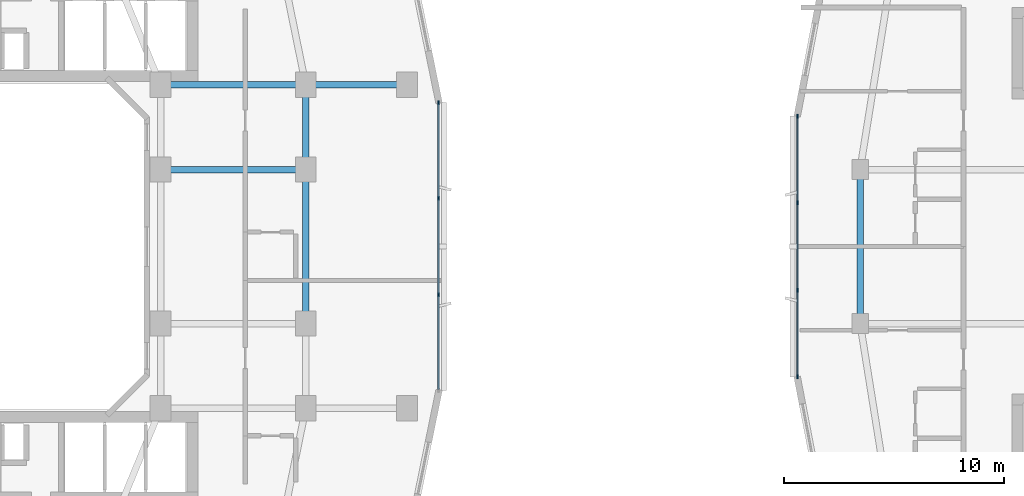
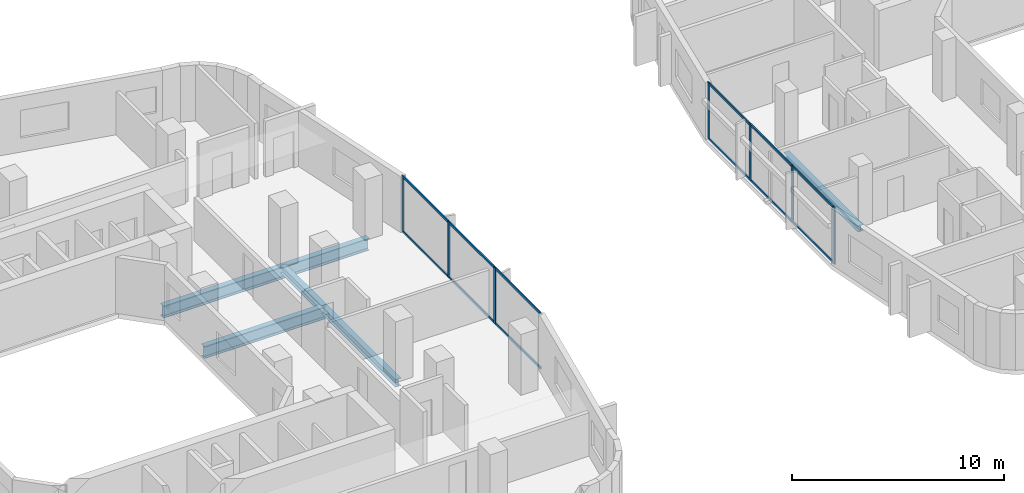
# One storey, part 5 of 26: 19 members, 6 beams, 2 elements without a shape of their own.
"""IFC4 building model written with IfcOpenShell, lengths in metres."""

from ifc_helpers import new_model, si_unit, derived_unit, direction, frame, origin, origin_2d, place, context, subcontext, project, spatial, rectangle, i_section, extrude, material, layer, layer_set, material_profile, profile_set, type_object, element, aggregate, save


model = new_model("IFC4")

# Units and contexts
model_context = context("Model", 3, precision=1e-05, world=origin(), true_north=direction((0.0, 1.0)))
body_context = subcontext(model_context, "Body", "Model", "MODEL_VIEW")
ifc_project = project(units=[si_unit("LENGTHUNIT", "METRE"), si_unit("AREAUNIT", "SQUARE_METRE"), si_unit("VOLUMEUNIT", "CUBIC_METRE"), si_unit("PLANEANGLEUNIT", "RADIAN"), si_unit("MASSUNIT", "GRAM", prefix="KILO"), derived_unit("THERMALTRANSMITTANCEUNIT", [(si_unit("POWERUNIT", "WATT"), 1), (si_unit("LENGTHUNIT", "METRE"), -2), (si_unit("THERMODYNAMICTEMPERATUREUNIT", "KELVIN"), -1)])], contexts=[model_context])

# Site, building, storey
site_placement = place(None, origin())
site = spatial("IfcSite", under=ifc_project, at=site_placement, CompositionType="ELEMENT")
building_placement = place(site_placement, origin())
building = spatial("IfcBuilding", under=site, at=building_placement, Name="Kivonza Crest Hotel", CompositionType="ELEMENT")
storey_placement = place(building_placement, frame((0.0, 0.0, 62.5)))
storey = spatial("IfcBuildingStorey", under=building, at=storey_placement, Name="L16", CompositionType="ELEMENT", Elevation=62.5)

# Beams
ifc_material_1 = material(Name="Steel S355", Category="steel")
ifc_material_profile_1 = material_profile(ifc_material_1, i_section(OverallWidth=0.300048828125, OverallDepth=0.360107421875, WebThickness=0.012451171875, FlangeThickness=0.0224609375, FilletRadius=0.027099609375, at=origin_2d()), Name="HEB 360")
ifc_profile_set_1 = profile_set([ifc_material_profile_1], Name="Steel S355")
beam_type_1 = type_object("IfcBeamType", Name="BM-HEB360", PredefinedType="SPANDREL", material=ifc_profile_set_1)
beam_1_placement = place(storey_placement, frame((61.0, 28.5, -0.429931640625), z_axis=(0.0, -1.0, 0.0), x_axis=(1.0, 0.0, 0.0)))
element("IfcBeam", 1, at=beam_1_placement, inside=storey, type_object=beam_type_1, Name="Companion Tower T2 L16 perimeter spandrel W2-W1", PredefinedType="SPANDREL", context=body_context, shape_type="SweptSolid", body=[
    extrude(i_section(OverallWidth=0.300048828125, OverallDepth=0.360107421875, WebThickness=0.012451171875, FlangeThickness=0.0224609375, FilletRadius=0.027099609375, at=origin_2d()), origin(), (0.0, 0.0, 1.0), 7.0),
])
ifc_material_profile_2 = material_profile(ifc_material_1, i_section(OverallWidth=0.300048828125, OverallDepth=0.449951171875, WebThickness=0.013916015625, FlangeThickness=0.02587890625, FilletRadius=0.027099609375, at=origin_2d()), Name="HEB 450")
ifc_profile_set_2 = profile_set([ifc_material_profile_2], Name="Steel S355")
beam_type_2 = type_object("IfcBeamType", Name="BM-HEB450", PredefinedType="SPANDREL", material=ifc_profile_set_2)
beam_2_placement = place(storey_placement, frame((35.800048828125, 21.5, -0.5048828125), z_axis=(0.0, 1.0, 0.0), x_axis=(-1.0, 0.0, 0.0)))
element("IfcBeam", 2, at=beam_2_placement, inside=storey, type_object=beam_type_2, Name="Tower T1 L16 perimeter spandrel E1-E2", PredefinedType="SPANDREL", context=body_context, shape_type="SweptSolid", body=[
    extrude(i_section(OverallWidth=0.300048828125, OverallDepth=0.449951171875, WebThickness=0.013916015625, FlangeThickness=0.02587890625, FilletRadius=0.027099609375, at=origin_2d()), origin(), (0.0, 0.0, 1.0), 7.0),
])
beam_3_placement = place(storey_placement, frame((35.800048828125, 28.5, -0.5048828125), z_axis=(0.0, 1.0, 0.0), x_axis=(-1.0, 0.0, 0.0)))
element("IfcBeam", 3, at=beam_3_placement, inside=storey, type_object=beam_type_2, Name="Tower T1 L16 perimeter spandrel E2-PNE", PredefinedType="SPANDREL", context=body_context, shape_type="SweptSolid", body=[
    extrude(i_section(OverallWidth=0.300048828125, OverallDepth=0.449951171875, WebThickness=0.013916015625, FlangeThickness=0.02587890625, FilletRadius=0.027099609375, at=origin_2d()), origin(), (0.0, 0.0, 1.0), 3.85009765625),
])
ifc_material_profile_3 = material_profile(ifc_material_1, i_section(OverallWidth=0.300048828125, OverallDepth=0.699951171875, WebThickness=0.01708984375, FlangeThickness=0.031982421875, FilletRadius=0.027099609375, at=origin_2d()), Name="HEB 700")
ifc_profile_set_3 = profile_set([ifc_material_profile_3], Name="Steel S355")
beam_type_3 = type_object("IfcBeamType", Name="BM-HEB700", PredefinedType="BEAM", material=ifc_profile_set_3)
for number, where, z_axis, x_axis, name in (
    (4, (29.199951171875, 32.35009765625, -0.6298828125), (1.0, 0.0, 0.0), (0.0, 1.0, 0.0), "Tower T1 L16 primary girder TNE-PNE"),
    (5, (29.199951171875, 28.5, -0.6298828125), (1.0, 0.0, 0.0), (0.0, 1.0, 0.0), "Tower T1 L16 primary girder WR2-E2"),
):
    element("IfcBeam", number, at=place(storey_placement, frame(where, z_axis=z_axis, x_axis=x_axis)), inside=storey, type_object=beam_type_3, Name=name, PredefinedType="BEAM", context=body_context, shape_type="SweptSolid", body=[
        extrude(i_section(OverallWidth=0.300048828125, OverallDepth=0.699951171875, WebThickness=0.01708984375, FlangeThickness=0.031982421875, FilletRadius=0.027099609375, at=origin_2d()), origin(), (0.0, 0.0, 1.0), 6.60009765625),
    ])
beam_4_placement = place(storey_placement, frame((40.39990234375, 32.35009765625, -0.6298828125), z_axis=(-1.0, 0.0, 0.0), x_axis=(0.0, -1.0, 0.0)))
element("IfcBeam", 6, at=beam_4_placement, inside=storey, type_object=beam_type_3, Name="Tower T1 L16 outer bay girder ZE2", PredefinedType="BEAM", context=body_context, shape_type="SweptSolid", body=[
    extrude(i_section(OverallWidth=0.300048828125, OverallDepth=0.699951171875, WebThickness=0.01708984375, FlangeThickness=0.031982421875, FilletRadius=0.027099609375, at=origin_2d()), origin(), (0.0, 0.0, 1.0), 4.599853515625),
])

# Curtain wall, members
ifc_material_2 = material(Name="Anodised bronze aluminium and low-E double glazing", Category="aluminium")
ifc_layer_1 = layer(ifc_material_2, 0.179931640625)
ifc_layer_set_1 = layer_set([ifc_layer_1], Name="Anodised bronze aluminium and low-E double glazing")
curtain_wall_type_1 = type_object("IfcCurtainWallType", Name="CW-SYS-2", PredefinedType="NOTDEFINED", material=ifc_layer_set_1)
curtain_wall_1_placement = place(storey_placement, origin())
curtain_wall_1 = element("IfcCurtainWall", 7, at=curtain_wall_1_placement, inside=storey, type_object=curtain_wall_type_1, Name="L16 unitised curtain wall CW-T1-L16-17", PredefinedType="NOTDEFINED")
ifc_material_3 = material(Name="Anodised bronze aluminium", Category="aluminium")
ifc_material_profile_4 = material_profile(ifc_material_3, rectangle(XDim=0.06494140625, YDim=0.179931640625, at=origin_2d()), Name="CW-M 65x180")
ifc_profile_set_4 = profile_set([ifc_material_profile_4], Name="Anodised bronze aluminium")
member_type_1 = type_object("IfcMemberType", Name="CW-MUL-65x180", PredefinedType="MULLION", material=ifc_profile_set_4)
member_1_placement = place(storey_placement, frame((41.840087890625, 22.813232421875, 0.0), z_axis=(0.0, 0.0, 1.0), x_axis=(-1.0, 0.0, 0.0)))
member_1 = element("IfcMember", 8, at=member_1_placement, type_object=member_type_1, Name="CW-2 mullion 2", PredefinedType="MULLION", context=body_context, shape_type="SweptSolid", body=[
    extrude(rectangle(XDim=0.06494140625, YDim=0.179931640625, at=origin_2d()), origin(), (0.0, 0.0, 1.0), 3.219970703125),
])
member_2_placement = place(storey_placement, frame((41.840087890625, 27.186767578125, 0.0), z_axis=(0.0, 0.0, 1.0), x_axis=(-1.0, 0.0, 0.0)))
member_2 = element("IfcMember", 9, at=member_2_placement, type_object=member_type_1, Name="CW-2 mullion 3", PredefinedType="MULLION", context=body_context, shape_type="SweptSolid", body=[
    extrude(rectangle(XDim=0.06494140625, YDim=0.179931640625, at=origin_2d()), origin(), (0.0, 0.0, 1.0), 3.219970703125),
])
member_3_placement = place(storey_placement, frame((41.840087890625, 31.527587890625, 0.0), z_axis=(0.0, 0.0, 1.0), x_axis=(-1.0, 0.0, 0.0)))
member_3 = element("IfcMember", 10, at=member_3_placement, type_object=member_type_1, Name="CW-2 mullion 4", PredefinedType="MULLION", context=body_context, shape_type="SweptSolid", body=[
    extrude(rectangle(XDim=0.06494140625, YDim=0.179931640625, at=origin_2d()), origin(), (0.0, 0.0, 1.0), 3.219970703125),
])

ifc_layer_2 = layer(ifc_material_2, 0.179931640625)
ifc_layer_set_2 = layer_set([ifc_layer_2], Name="Anodised bronze aluminium and low-E double glazing")
curtain_wall_type_2 = type_object("IfcCurtainWallType", Name="CW-SYS-4", PredefinedType="NOTDEFINED", material=ifc_layer_set_2)
curtain_wall_2_placement = place(storey_placement, origin())
curtain_wall_2 = element("IfcCurtainWall", 11, at=curtain_wall_2_placement, inside=storey, type_object=curtain_wall_type_2, Name="L16 unitised curtain wall CW-T2-L16-35", PredefinedType="NOTDEFINED")
member_4_placement = place(storey_placement, frame((58.159912109375, 30.927490234375, 0.0), z_axis=(0.0, 0.0, 1.0), x_axis=(1.0, 0.0, 0.0)))
member_4 = element("IfcMember", 12, at=member_4_placement, type_object=member_type_1, Name="CW-4 mullion 1", PredefinedType="MULLION", context=body_context, shape_type="SweptSolid", body=[
    extrude(rectangle(XDim=0.06494140625, YDim=0.179931640625, at=origin_2d()), origin(), (0.0, 0.0, 1.0), 3.25),
])
member_5_placement = place(storey_placement, frame((58.159912109375, 26.986572265625, 0.0), z_axis=(0.0, 0.0, 1.0), x_axis=(1.0, 0.0, 0.0)))
member_5 = element("IfcMember", 13, at=member_5_placement, type_object=member_type_1, Name="CW-4 mullion 2", PredefinedType="MULLION", context=body_context, shape_type="SweptSolid", body=[
    extrude(rectangle(XDim=0.06494140625, YDim=0.179931640625, at=origin_2d()), origin(), (0.0, 0.0, 1.0), 3.25),
])
member_6_placement = place(storey_placement, frame((58.159912109375, 23.013427734375, 0.0), z_axis=(0.0, 0.0, 1.0), x_axis=(1.0, 0.0, 0.0)))
member_6 = element("IfcMember", 14, at=member_6_placement, type_object=member_type_1, Name="CW-4 mullion 3", PredefinedType="MULLION", context=body_context, shape_type="SweptSolid", body=[
    extrude(rectangle(XDim=0.06494140625, YDim=0.179931640625, at=origin_2d()), origin(), (0.0, 0.0, 1.0), 3.25),
])
member_7_placement = place(storey_placement, frame((58.159912109375, 19.072509765625, 0.0), z_axis=(0.0, 0.0, 1.0), x_axis=(1.0, 0.0, 0.0)))
member_7 = element("IfcMember", 15, at=member_7_placement, type_object=member_type_1, Name="CW-4 mullion 4", PredefinedType="MULLION", context=body_context, shape_type="SweptSolid", body=[
    extrude(rectangle(XDim=0.06494140625, YDim=0.179931640625, at=origin_2d()), origin(), (0.0, 0.0, 1.0), 3.25),
])

# Member
ifc_material_profile_5 = material_profile(ifc_material_3, rectangle(XDim=0.06494140625, YDim=0.139892578125, at=origin_2d()), Name="CW-T 65x140")
ifc_profile_set_5 = profile_set([ifc_material_profile_5], Name="Anodised bronze aluminium")
member_type_2 = type_object("IfcMemberType", Name="CW-TRN-65x140", PredefinedType="USERDEFINED", material=ifc_profile_set_5)
member_8_placement = place(storey_placement, frame((41.840087890625, 18.5048828125, 0.032470703125), z_axis=(0.0, 1.0, 0.0), x_axis=(-1.0, 0.0, 0.0)))
member_8 = element("IfcMember", 16, at=member_8_placement, type_object=member_type_2, Name="CW-2 transom 1.1", ObjectType="TRANSOM", PredefinedType="USERDEFINED", context=body_context, shape_type="SweptSolid", body=[
    extrude(rectangle(XDim=0.06494140625, YDim=0.139892578125, at=origin_2d()), origin(), (0.0, 0.0, 1.0), 4.27587890625),
])

member_9_placement = place(storey_placement, frame((41.840087890625, 18.5048828125, 3.1875), z_axis=(0.0, 1.0, 0.0), x_axis=(-1.0, 0.0, 0.0)))
member_9 = element("IfcMember", 17, at=member_9_placement, type_object=member_type_2, Name="CW-2 transom 1.2", ObjectType="TRANSOM", PredefinedType="USERDEFINED", context=body_context, shape_type="SweptSolid", body=[
    extrude(rectangle(XDim=0.06494140625, YDim=0.139892578125, at=origin_2d()), origin(), (0.0, 0.0, 1.0), 4.27587890625),
])

member_10_placement = place(storey_placement, frame((41.840087890625, 22.845947265625, 0.032470703125), z_axis=(0.0, 1.0, 0.0), x_axis=(-1.0, 0.0, 0.0)))
member_10 = element("IfcMember", 18, at=member_10_placement, type_object=member_type_2, Name="CW-2 transom 2.1", ObjectType="TRANSOM", PredefinedType="USERDEFINED", context=body_context, shape_type="SweptSolid", body=[
    extrude(rectangle(XDim=0.06494140625, YDim=0.139892578125, at=origin_2d()), origin(), (0.0, 0.0, 1.0), 4.30810546875),
])

member_11_placement = place(storey_placement, frame((41.840087890625, 22.845947265625, 3.1875), z_axis=(0.0, 1.0, 0.0), x_axis=(-1.0, 0.0, 0.0)))
member_11 = element("IfcMember", 19, at=member_11_placement, type_object=member_type_2, Name="CW-2 transom 2.2", ObjectType="TRANSOM", PredefinedType="USERDEFINED", context=body_context, shape_type="SweptSolid", body=[
    extrude(rectangle(XDim=0.06494140625, YDim=0.139892578125, at=origin_2d()), origin(), (0.0, 0.0, 1.0), 4.30810546875),
])

member_12_placement = place(storey_placement, frame((41.840087890625, 27.21923828125, 0.032470703125), z_axis=(0.0, 1.0, 0.0), x_axis=(-1.0, 0.0, 0.0)))
member_12 = element("IfcMember", 20, at=member_12_placement, type_object=member_type_2, Name="CW-2 transom 3.1", ObjectType="TRANSOM", PredefinedType="USERDEFINED", context=body_context, shape_type="SweptSolid", body=[
    extrude(rectangle(XDim=0.06494140625, YDim=0.139892578125, at=origin_2d()), origin(), (0.0, 0.0, 1.0), 4.27587890625),
])

member_13_placement = place(storey_placement, frame((41.840087890625, 27.21923828125, 3.1875), z_axis=(0.0, 1.0, 0.0), x_axis=(-1.0, 0.0, 0.0)))
member_13 = element("IfcMember", 21, at=member_13_placement, type_object=member_type_2, Name="CW-2 transom 3.2", ObjectType="TRANSOM", PredefinedType="USERDEFINED", context=body_context, shape_type="SweptSolid", body=[
    extrude(rectangle(XDim=0.06494140625, YDim=0.139892578125, at=origin_2d()), origin(), (0.0, 0.0, 1.0), 4.27587890625),
])

aggregate(curtain_wall_1, [member_1, member_2, member_3, member_8, member_9, member_10, member_11, member_12, member_13])

member_14_placement = place(storey_placement, frame((58.159912109375, 30.89501953125, 0.032470703125), z_axis=(0.0, -1.0, 0.0), x_axis=(1.0, 0.0, 0.0)))
member_14 = element("IfcMember", 22, at=member_14_placement, type_object=member_type_2, Name="CW-4 transom 1.1", ObjectType="TRANSOM", PredefinedType="USERDEFINED", context=body_context, shape_type="SweptSolid", body=[
    extrude(rectangle(XDim=0.06494140625, YDim=0.139892578125, at=origin_2d()), origin(), (0.0, 0.0, 1.0), 3.875732421875),
])

member_15_placement = place(storey_placement, frame((58.159912109375, 30.89501953125, 3.217529296875), z_axis=(0.0, -1.0, 0.0), x_axis=(1.0, 0.0, 0.0)))
member_15 = element("IfcMember", 23, at=member_15_placement, type_object=member_type_2, Name="CW-4 transom 1.2", ObjectType="TRANSOM", PredefinedType="USERDEFINED", context=body_context, shape_type="SweptSolid", body=[
    extrude(rectangle(XDim=0.06494140625, YDim=0.139892578125, at=origin_2d()), origin(), (0.0, 0.0, 1.0), 3.875732421875),
])

member_16_placement = place(storey_placement, frame((58.159912109375, 26.9541015625, 0.032470703125), z_axis=(0.0, -1.0, 0.0), x_axis=(1.0, 0.0, 0.0)))
member_16 = element("IfcMember", 24, at=member_16_placement, type_object=member_type_2, Name="CW-4 transom 2.1", ObjectType="TRANSOM", PredefinedType="USERDEFINED", context=body_context, shape_type="SweptSolid", body=[
    extrude(rectangle(XDim=0.06494140625, YDim=0.139892578125, at=origin_2d()), origin(), (0.0, 0.0, 1.0), 3.908203125),
])

member_17_placement = place(storey_placement, frame((58.159912109375, 26.9541015625, 3.217529296875), z_axis=(0.0, -1.0, 0.0), x_axis=(1.0, 0.0, 0.0)))
member_17 = element("IfcMember", 25, at=member_17_placement, type_object=member_type_2, Name="CW-4 transom 2.2", ObjectType="TRANSOM", PredefinedType="USERDEFINED", context=body_context, shape_type="SweptSolid", body=[
    extrude(rectangle(XDim=0.06494140625, YDim=0.139892578125, at=origin_2d()), origin(), (0.0, 0.0, 1.0), 3.908203125),
])

member_18_placement = place(storey_placement, frame((58.159912109375, 22.980712890625, 0.032470703125), z_axis=(0.0, -1.0, 0.0), x_axis=(1.0, 0.0, 0.0)))
member_18 = element("IfcMember", 26, at=member_18_placement, type_object=member_type_2, Name="CW-4 transom 3.1", ObjectType="TRANSOM", PredefinedType="USERDEFINED", context=body_context, shape_type="SweptSolid", body=[
    extrude(rectangle(XDim=0.06494140625, YDim=0.139892578125, at=origin_2d()), origin(), (0.0, 0.0, 1.0), 3.875732421875),
])

member_19_placement = place(storey_placement, frame((58.159912109375, 22.980712890625, 3.217529296875), z_axis=(0.0, -1.0, 0.0), x_axis=(1.0, 0.0, 0.0)))
member_19 = element("IfcMember", 27, at=member_19_placement, type_object=member_type_2, Name="CW-4 transom 3.2", ObjectType="TRANSOM", PredefinedType="USERDEFINED", context=body_context, shape_type="SweptSolid", body=[
    extrude(rectangle(XDim=0.06494140625, YDim=0.139892578125, at=origin_2d()), origin(), (0.0, 0.0, 1.0), 3.875732421875),
])

aggregate(curtain_wall_2, [member_4, member_5, member_6, member_7, member_14, member_15, member_16, member_17, member_18, member_19])

save(model, "model.ifc")
